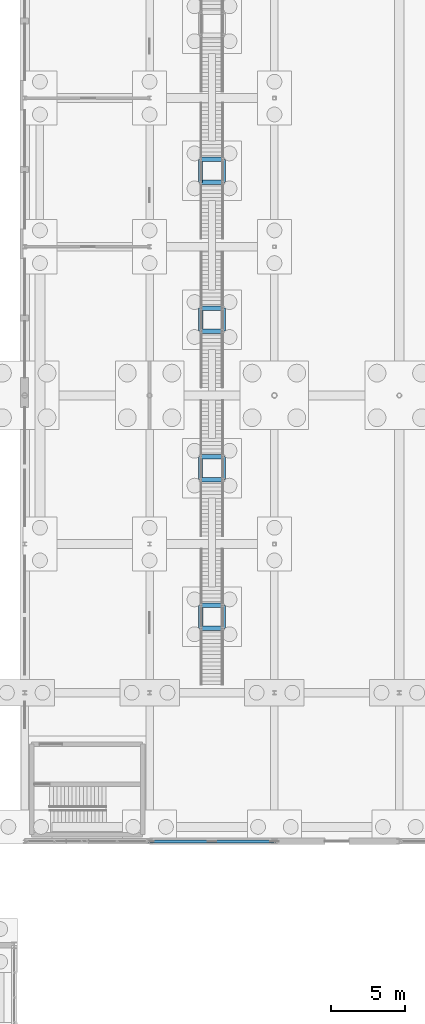
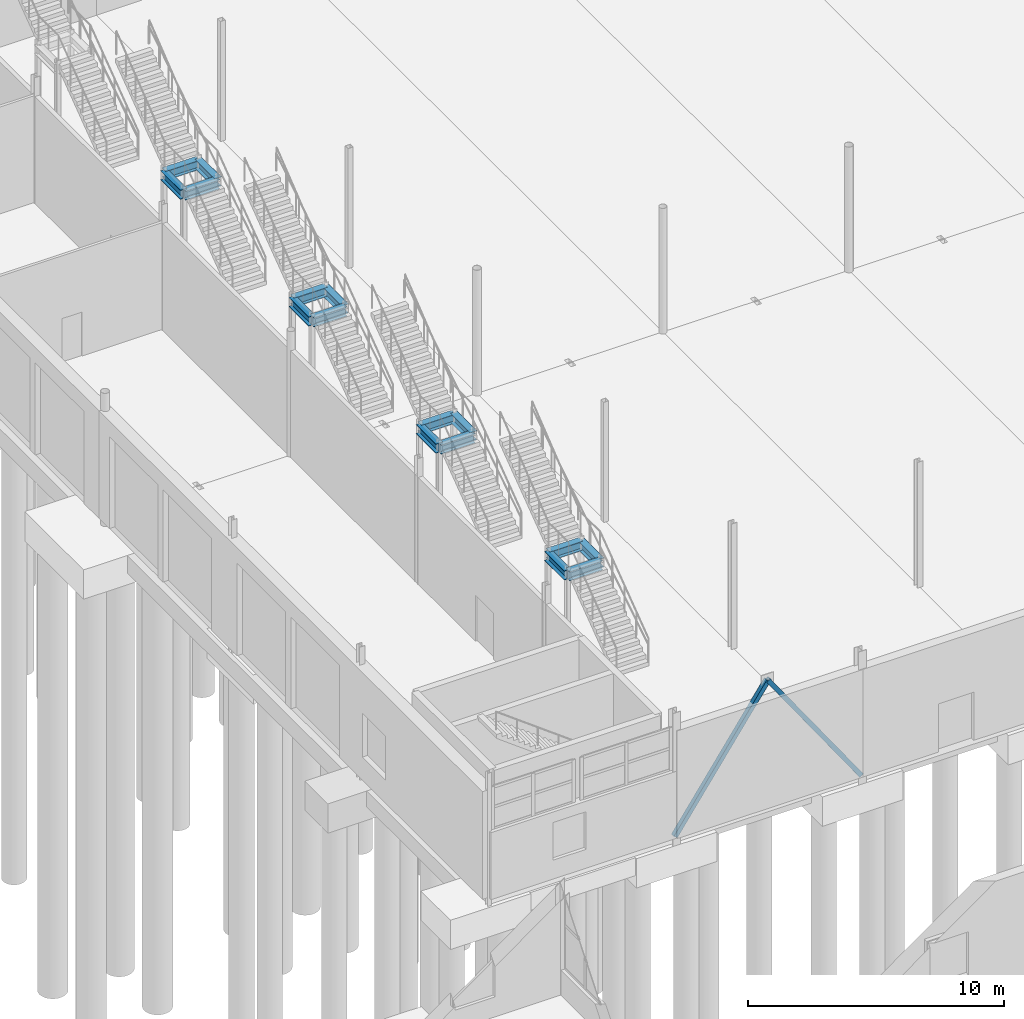
# One storey, part 67 of 139: 16 beams, 2 members.
"""IFC4 building model written with IfcOpenShell, lengths in metres."""

from ifc_helpers import new_model, si_unit, direction, frame, origin, origin_2d, place, context, subcontext, project, spatial, hollow_rectangle, i_section, extrude, material, material_profile, profile_set, type_object, element, save


model = new_model("IFC4")

# Units and contexts
model_context = context("Model", 3, precision=1e-05, world=origin(), true_north=direction((0.0, 1.0)))
body_context = subcontext(model_context, "Body", "Model", "MODEL_VIEW")
ifc_project = project(units=[si_unit("LENGTHUNIT", "METRE"), si_unit("AREAUNIT", "SQUARE_METRE"), si_unit("VOLUMEUNIT", "CUBIC_METRE"), si_unit("PLANEANGLEUNIT", "RADIAN"), si_unit("MASSUNIT", "GRAM", prefix="KILO")], contexts=[model_context])

# Site, building, storey
site_placement = place(None, origin())
site = spatial("IfcSite", under=ifc_project, at=site_placement, CompositionType="ELEMENT")
building_placement = place(site_placement, origin())
building = spatial("IfcBuilding", under=site, at=building_placement, Name="Kazenagashi Tramway Depot", CompositionType="ELEMENT")
storey_placement = place(building_placement, origin())
storey = spatial("IfcBuildingStorey", under=building, at=storey_placement, Name="L01", CompositionType="ELEMENT", Elevation=0.0)

# Members
ifc_material_1 = material(Name="Steel STKR490", Category="steel")
ifc_material_profile_1 = material_profile(ifc_material_1, hollow_rectangle(XDim=0.2, YDim=0.2, WallThickness=0.009, at=origin_2d()), Name="SHS-200x200x9")
ifc_profile_set_1 = profile_set([ifc_material_profile_1], Name="Steel STKR490")
member_type = type_object("IfcMemberType", Name="BR-01", PredefinedType="BRACE", material=ifc_profile_set_1)
for number, where, z_axis, x_axis, name in (
    (1, (53.2, 70.0, 0.0), (0.573462344363, 0.0, 0.819231920519), (0.0, 1.0, 0.0), "Seismic Brace Member BR-01 MEM-1590"),
    (2, (61.6, 70.0, 0.0), (-0.573462344363, 0.0, 0.819231920519), (0.0, -1.0, 0.0), "Seismic Brace Member BR-01 MEM-1591"),
):
    element("IfcMember", number, at=place(storey_placement, frame(where, z_axis=z_axis, x_axis=x_axis)), inside=storey, type_object=member_type, Name=name, PredefinedType="BRACE", context=body_context, shape_type="SweptSolid", body=[
        extrude(hollow_rectangle(XDim=0.2, YDim=0.2, WallThickness=0.009, at=origin_2d()), origin(), (0.0, 0.0, 1.0), 7.323933),
    ])

# Beams
ifc_material_2 = material(Name="Steel SN490B", Category="steel")
ifc_material_profile_2 = material_profile(ifc_material_2, i_section(OverallWidth=0.3, OverallDepth=0.44, WebThickness=0.011, FlangeThickness=0.018, at=origin_2d()), Name="H-440x300x11x18")
ifc_profile_set_2 = profile_set([ifc_material_profile_2], Name="Steel SN490B")
beam_type = type_object("IfcBeamType", Name="G-06", PredefinedType="BEAM", material=ifc_profile_set_2)
for number, where, z_axis, x_axis, name in (
    (3, (56.65, 84.33, 2.585), (1.0, 0.0, 0.0), (0.0, 1.0, 0.0), "Beam G-06 BM-1990"),
    (4, (56.65, 85.88, 2.585), (1.0, 0.0, 0.0), (0.0, 1.0, 0.0), "Beam G-06 BM-1991"),
):
    element("IfcBeam", number, at=place(storey_placement, frame(where, z_axis=z_axis, x_axis=x_axis)), inside=storey, type_object=beam_type, Name=name, PredefinedType="BEAM", context=body_context, shape_type="SweptSolid", body=[
        extrude(i_section(OverallWidth=0.3, OverallDepth=0.44, WebThickness=0.011, FlangeThickness=0.018, at=origin_2d()), origin(), (0.0, 0.0, 1.0), 1.5),
    ])
for number, where, z_axis, x_axis, name in (
    (5, (56.65, 84.33, 2.585), (0.0, 1.0, 0.0), (-1.0, 0.0, 0.0), "Beam G-06 BM-1992"),
    (6, (58.15, 84.33, 2.585), (0.0, 1.0, 0.0), (-1.0, 0.0, 0.0), "Beam G-06 BM-1993"),
    (7, (56.625, 94.33, 2.585), (1.0, 0.0, 0.0), (0.0, 1.0, 0.0), "Beam G-06 BM-1994"),
    (8, (56.625, 95.88, 2.585), (1.0, 0.0, 0.0), (0.0, 1.0, 0.0), "Beam G-06 BM-1995"),
    (9, (56.625, 94.33, 2.585), (0.0, 1.0, 0.0), (-1.0, 0.0, 0.0), "Beam G-06 BM-1996"),
    (10, (58.175, 94.33, 2.585), (0.0, 1.0, 0.0), (-1.0, 0.0, 0.0), "Beam G-06 BM-1997"),
):
    element("IfcBeam", number, at=place(storey_placement, frame(where, z_axis=z_axis, x_axis=x_axis)), inside=storey, type_object=beam_type, Name=name, PredefinedType="BEAM", context=body_context, shape_type="SweptSolid", body=[
        extrude(i_section(OverallWidth=0.3, OverallDepth=0.44, WebThickness=0.011, FlangeThickness=0.018, at=origin_2d()), origin(), (0.0, 0.0, 1.0), 1.55),
    ])
for number, where, z_axis, x_axis, name in (
    (11, (56.65, 104.33, 2.585), (1.0, 0.0, 0.0), (0.0, 1.0, 0.0), "Beam G-06 BM-1998"),
    (12, (56.65, 105.88, 2.585), (1.0, 0.0, 0.0), (0.0, 1.0, 0.0), "Beam G-06 BM-1999"),
):
    element("IfcBeam", number, at=place(storey_placement, frame(where, z_axis=z_axis, x_axis=x_axis)), inside=storey, type_object=beam_type, Name=name, PredefinedType="BEAM", context=body_context, shape_type="SweptSolid", body=[
        extrude(i_section(OverallWidth=0.3, OverallDepth=0.44, WebThickness=0.011, FlangeThickness=0.018, at=origin_2d()), origin(), (0.0, 0.0, 1.0), 1.5),
    ])
for number, where, z_axis, x_axis, name in (
    (13, (56.65, 104.33, 2.585), (0.0, 1.0, 0.0), (-1.0, 0.0, 0.0), "Beam G-06 BM-2000"),
    (14, (58.15, 104.33, 2.585), (0.0, 1.0, 0.0), (-1.0, 0.0, 0.0), "Beam G-06 BM-2001"),
    (15, (56.625, 114.33, 2.585), (1.0, 0.0, 0.0), (0.0, 1.0, 0.0), "Beam G-06 BM-2002"),
    (16, (56.625, 115.88, 2.585), (1.0, 0.0, 0.0), (0.0, 1.0, 0.0), "Beam G-06 BM-2003"),
    (17, (56.625, 114.33, 2.585), (0.0, 1.0, 0.0), (-1.0, 0.0, 0.0), "Beam G-06 BM-2004"),
    (18, (58.175, 114.33, 2.585), (0.0, 1.0, 0.0), (-1.0, 0.0, 0.0), "Beam G-06 BM-2005"),
):
    element("IfcBeam", number, at=place(storey_placement, frame(where, z_axis=z_axis, x_axis=x_axis)), inside=storey, type_object=beam_type, Name=name, PredefinedType="BEAM", context=body_context, shape_type="SweptSolid", body=[
        extrude(i_section(OverallWidth=0.3, OverallDepth=0.44, WebThickness=0.011, FlangeThickness=0.018, at=origin_2d()), origin(), (0.0, 0.0, 1.0), 1.55),
    ])

save(model, "model.ifc")
